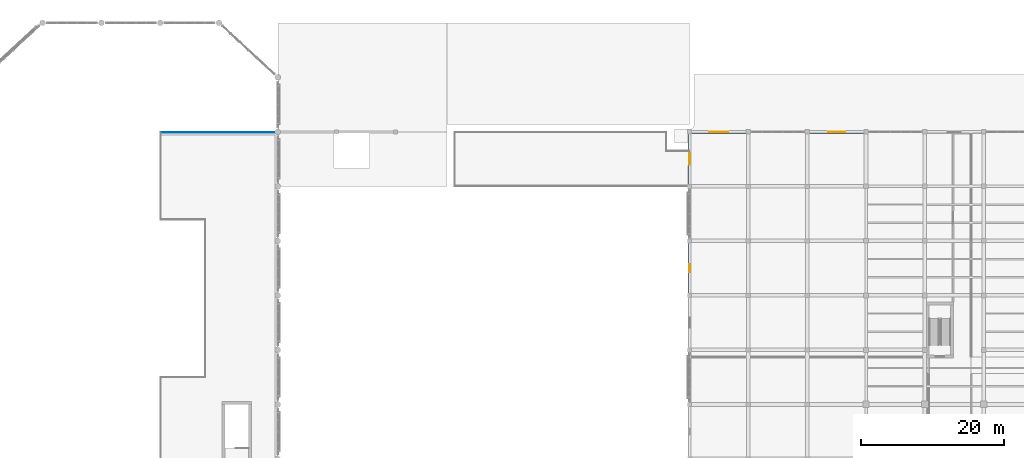
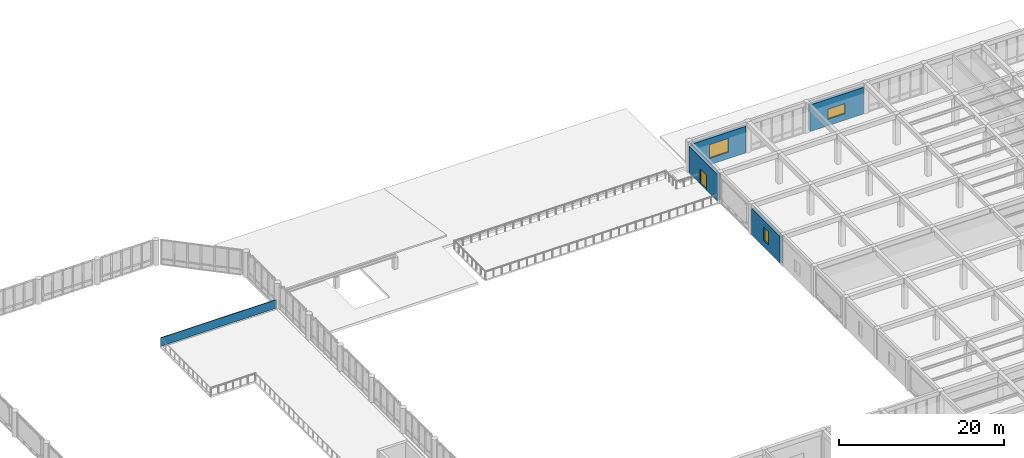
# One storey, part 37 of 49: 5 walls, 3 windows, 1 door, 4 openings.
"""IFC4 building model written with IfcOpenShell, lengths in metres."""

from ifc_helpers import new_model, si_unit, direction, frame, frame_2d, origin, place, context, subcontext, project, spatial, rectangle, extrude, material, layer, layer_set, type_object, element, fill, save


model = new_model("IFC4")

# Units and contexts
model_context = context("Model", 3, precision=1e-05, world=origin(), true_north=direction((0.0, 1.0)))
body_context = subcontext(model_context, "Body", "Model", "MODEL_VIEW")
ifc_project = project(units=[si_unit("LENGTHUNIT", "METRE"), si_unit("AREAUNIT", "SQUARE_METRE"), si_unit("VOLUMEUNIT", "CUBIC_METRE"), si_unit("PLANEANGLEUNIT", "RADIAN"), si_unit("MASSUNIT", "GRAM", prefix="KILO")], contexts=[model_context])

# Site, building, storey
site_placement = place(None, origin())
site = spatial("IfcSite", under=ifc_project, at=site_placement, CompositionType="ELEMENT")
building_placement = place(site_placement, origin())
building = spatial("IfcBuilding", under=site, at=building_placement, Name="Qandaris Square Conservatory and Botanical Centre", CompositionType="ELEMENT")
storey_placement = place(building_placement, frame((0.0, 0.0, 10.199951171875)))
storey = spatial("IfcBuildingStorey", under=building, at=storey_placement, Name="L02", CompositionType="ELEMENT", Elevation=10.199951171875)

# Wall
ifc_material_1 = material(Name="Tempered Low-E Glass", Category="glass")
ifc_layer_1 = layer(ifc_material_1, 0.10009765625)
ifc_layer_set_1 = layer_set([ifc_layer_1], Name="Tempered Low-E Glass")
wall_type_1 = type_object("IfcWallType", Name="Framed Acoustic Glazed Gallery Screen 100mm", PredefinedType="PARTITIONING", material=ifc_layer_set_1)
wall_1_placement = place(storey_placement, frame((40.85009765625, 100.10009765625, 0.0), z_axis=(0.0, 0.0, 1.0), x_axis=(1.0, 0.0, 0.0)))
element("IfcWall", 1, at=wall_1_placement, inside=storey, type_object=wall_type_1, Name="Conservatory Overlook North Glazed Screen", PredefinedType="PARTITIONING", context=body_context, shape_type="SweptSolid", body=[
    extrude(rectangle(XDim=16.169921875, YDim=0.10009765625, at=frame_2d((8.0849609375, 0.0))), origin(), (0.0, 0.0, 1.0), 1.25),
])

# Wall, opening, window
ifc_material_2 = material(Name="Concrete C40/50", Category="concrete")
ifc_layer_2 = layer(ifc_material_2, 0.419921875)
ifc_layer_set_2 = layer_set([ifc_layer_2], Name="Concrete C40/50")
wall_type_2 = type_object("IfcWallType", Name="Insulated Qatari Limestone Cavity Wall 420mm", PredefinedType="SOLIDWALL", material=ifc_layer_set_2)
wall_2_placement = place(storey_placement, frame((138.840087890625, 100.199951171875, 0.0), z_axis=(0.0, 0.0, 1.0), x_axis=(-1.0, 0.0, 0.0)))
wall_2 = element("IfcWall", 2, at=wall_2_placement, inside=storey, type_object=wall_type_2, Name="Exterior Wall EW-TWR-L02-3-4", PredefinedType="SOLIDWALL", context=body_context, shape_type="SweptSolid", body=[
    extrude(rectangle(XDim=7.47998046875, YDim=0.419921875, at=frame_2d((3.739990234375, 0.0))), origin(), (0.0, 0.0, 1.0), 3.929931640625),
])
opening_1_placement = place(wall_2_placement, frame((2.56494140625, 0.0, 0.949951171875)))
opening_1 = element("IfcOpeningElement", 3, at=opening_1_placement, cuts=wall_2, Name="Opening WN-38", PredefinedType="OPENING", context=body_context, shape_type="SweptSolid", body=[
    extrude(rectangle(XDim=2.35009765625, YDim=1.5, at=frame_2d((1.175048828125, 0.75))), frame((0.0, 0.221923828125, 0.0), z_axis=(0.0, -1.0, 0.0), x_axis=(1.0, 0.0, 0.0)), (0.0, 0.0, 1.0), 0.44384765625),
])
window_type_1 = type_object("IfcWindowType", Name="Solar Control Window 2350x1500", PartitioningType="DOUBLE_PANEL_VERTICAL", PredefinedType="WINDOW", material=ifc_material_1)
window_1_placement = place(opening_1_placement, origin())
window_1 = element("IfcWindow", 4, at=window_1_placement, inside=storey, type_object=window_type_1, Name="Window EW-TWR-L02-3-4", OverallHeight=1.5, OverallWidth=2.35009765625, PartitioningType="DOUBLE_PANEL_VERTICAL", PredefinedType="WINDOW", context=body_context, shape_type="SweptSolid", body=[
    extrude(rectangle(XDim=2.35009765625, YDim=1.5, at=frame_2d((1.175048828125, 0.75))), frame((0.0, 0.030029296875, 0.0), z_axis=(0.0, -1.0, 0.0), x_axis=(1.0, 0.0, 0.0)), (0.0, 0.0, 1.0), 0.06005859375),
])
fill(opening_1, window_1)

wall_3_placement = place(storey_placement, frame((122.43994140625, 100.199951171875, 0.0), z_axis=(0.0, 0.0, 1.0), x_axis=(-1.0, 0.0, 0.0)))
wall_3 = element("IfcWall", 5, at=wall_3_placement, inside=storey, type_object=wall_type_2, Name="Exterior Wall EW-TWR-L02-3-6", PredefinedType="SOLIDWALL", context=body_context, shape_type="SweptSolid", body=[
    extrude(rectangle(XDim=7.47998046875, YDim=0.419921875, at=frame_2d((3.739990234375, 0.0))), origin(), (0.0, 0.0, 1.0), 3.929931640625),
])
opening_2_placement = place(wall_3_placement, frame((2.4150390625, 0.0, 0.949951171875)))
opening_2 = element("IfcOpeningElement", 6, at=opening_2_placement, cuts=wall_3, Name="Opening WN-44", PredefinedType="OPENING", context=body_context, shape_type="SweptSolid", body=[
    extrude(rectangle(XDim=2.64990234375, YDim=2.050048828125, at=frame_2d((1.324951171875, 1.02490234375))), frame((0.0, 0.221923828125, 0.0), z_axis=(0.0, -1.0, 0.0), x_axis=(1.0, 0.0, 0.0)), (0.0, 0.0, 1.0), 0.44384765625),
])
window_type_2 = type_object("IfcWindowType", Name="Solar Control Window 2650x2050", PartitioningType="DOUBLE_PANEL_VERTICAL", PredefinedType="WINDOW", material=ifc_material_1)
window_2_placement = place(opening_2_placement, origin())
window_2 = element("IfcWindow", 7, at=window_2_placement, inside=storey, type_object=window_type_2, Name="Window EW-TWR-L02-3-6", OverallHeight=2.050048828125, OverallWidth=2.64990234375, PartitioningType="DOUBLE_PANEL_VERTICAL", PredefinedType="WINDOW", context=body_context, shape_type="SweptSolid", body=[
    extrude(rectangle(XDim=2.64990234375, YDim=2.050048828125, at=frame_2d((1.324951171875, 1.02490234375))), frame((0.0, 0.030029296875, 0.0), z_axis=(0.0, -1.0, 0.0), x_axis=(1.0, 0.0, 0.0)), (0.0, 0.0, 1.0), 0.06005859375),
])
fill(opening_2, window_2)

# Wall, opening, door
wall_4_placement = place(storey_placement, frame((114.60009765625, 99.840087890625, 0.0), z_axis=(0.0, 0.0, 1.0), x_axis=(0.0, -1.0, 0.0)))
wall_4 = element("IfcWall", 8, at=wall_4_placement, inside=storey, type_object=wall_type_2, Name="Exterior Wall EW-TWR-L02-4-1", PredefinedType="SOLIDWALL", context=body_context, shape_type="SweptSolid", body=[
    extrude(rectangle(XDim=6.880126953125, YDim=0.419921875, at=frame_2d((3.43994140625, 0.0))), origin(), (0.0, 0.0, 1.0), 3.929931640625),
])
opening_3_placement = place(wall_4_placement, frame((2.639892578125, 0.0, 0.0)))
opening_3 = element("IfcOpeningElement", 9, at=opening_3_placement, cuts=wall_4, Name="Opening ED-T4", PredefinedType="OPENING", context=body_context, shape_type="SweptSolid", body=[
    extrude(rectangle(XDim=1.60009765625, YDim=2.199951171875, at=frame_2d((0.800048828125, 1.10009765625))), frame((0.0, 0.221923828125, 0.0), z_axis=(0.0, -1.0, 0.0), x_axis=(1.0, 0.0, 0.0)), (0.0, 0.0, 1.0), 0.44384765625),
])
ifc_material_3 = material(Name="Anodised Aluminium", Category="aluminium")
door_type = type_object("IfcDoorType", Name="Terrace Garden Glazed Access Door 1600x2200", OperationType="DOUBLE_DOOR_SINGLE_SWING", PredefinedType="DOOR", material=ifc_material_3)
door_placement = place(opening_3_placement, frame((1.60009765625, 0.0, 0.0), z_axis=(0.0, 0.0, 1.0), x_axis=(-1.0, 0.0, 0.0)))
door = element("IfcDoor", 10, at=door_placement, inside=storey, type_object=door_type, Name="DR-0143 Exterior Exit Door TD-TER-L02", OperationType="DOUBLE_DOOR_SINGLE_SWING", OverallHeight=2.199951171875, OverallWidth=1.60009765625, PredefinedType="DOOR", context=body_context, shape_type="SweptSolid", body=[
    extrude(rectangle(XDim=1.60009765625, YDim=2.199951171875, at=frame_2d((0.800048828125, 1.10009765625))), frame((0.0, 0.02490234375, 0.0), z_axis=(0.0, -1.0, 0.0), x_axis=(1.0, 0.0, 0.0)), (0.0, 0.0, 1.0), 0.050048828125),
])
fill(opening_3, door)

# Wall, opening, window
wall_5_placement = place(storey_placement, frame((114.60009765625, 84.639892578125, 0.0), z_axis=(0.0, 0.0, 1.0), x_axis=(0.0, -1.0, 0.0)))
wall_5 = element("IfcWall", 11, at=wall_5_placement, inside=storey, type_object=wall_type_2, Name="Exterior Wall EW-TWR-L02-4-3", PredefinedType="SOLIDWALL", context=body_context, shape_type="SweptSolid", body=[
    extrude(rectangle(XDim=6.8798828125, YDim=0.419921875, at=frame_2d((3.43994140625, 0.0))), origin(), (0.0, 0.0, 1.0), 3.929931640625),
])
opening_4_placement = place(wall_5_placement, frame((2.864990234375, 0.0, 0.949951171875)))
opening_4 = element("IfcOpeningElement", 12, at=opening_4_placement, cuts=wall_5, Name="Opening WN-20", PredefinedType="OPENING", context=body_context, shape_type="SweptSolid", body=[
    extrude(rectangle(XDim=1.14990234375, YDim=2.050048828125, at=frame_2d((0.574951171875, 1.02490234375))), frame((0.0, 0.221923828125, 0.0), z_axis=(0.0, -1.0, 0.0), x_axis=(1.0, 0.0, 0.0)), (0.0, 0.0, 1.0), 0.44384765625),
])
window_type_3 = type_object("IfcWindowType", Name="Solar Control Window 1150x2050", PartitioningType="SINGLE_PANEL", PredefinedType="WINDOW", material=ifc_material_1)
window_3_placement = place(opening_4_placement, origin())
window_3 = element("IfcWindow", 13, at=window_3_placement, inside=storey, type_object=window_type_3, Name="Window EW-TWR-L02-4-3", OverallHeight=2.050048828125, OverallWidth=1.14990234375, PartitioningType="SINGLE_PANEL", PredefinedType="WINDOW", context=body_context, shape_type="SweptSolid", body=[
    extrude(rectangle(XDim=1.14990234375, YDim=2.050048828125, at=frame_2d((0.574951171875, 1.02490234375))), frame((0.0, 0.030029296875, 0.0), z_axis=(0.0, -1.0, 0.0), x_axis=(1.0, 0.0, 0.0)), (0.0, 0.0, 1.0), 0.06005859375),
])
fill(opening_4, window_3)

save(model, "model.ifc")
